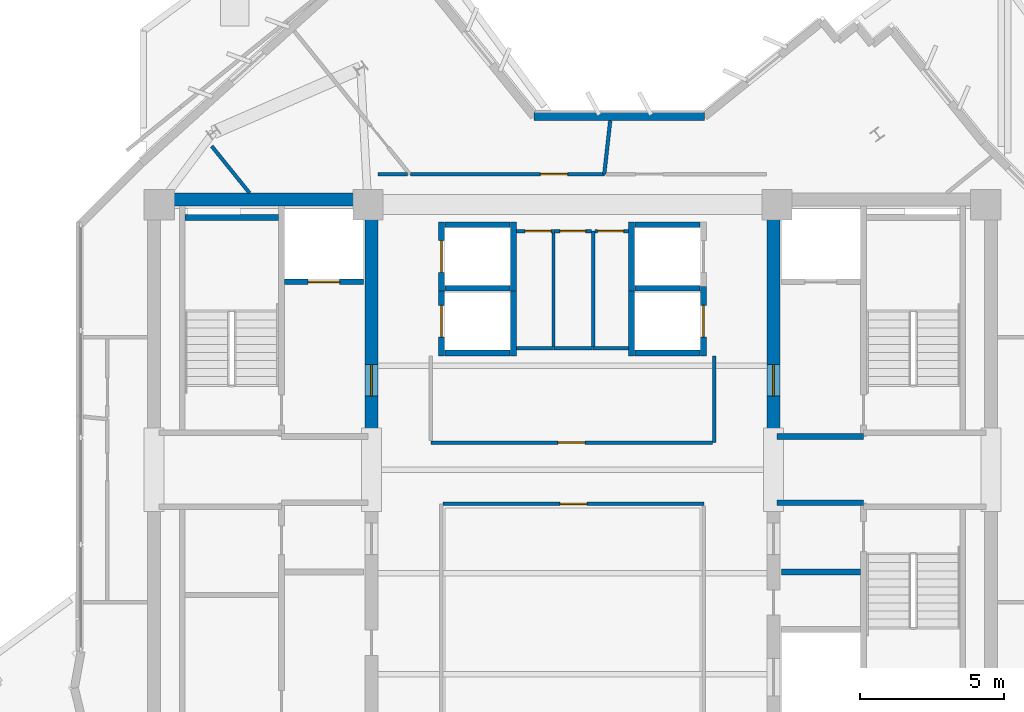
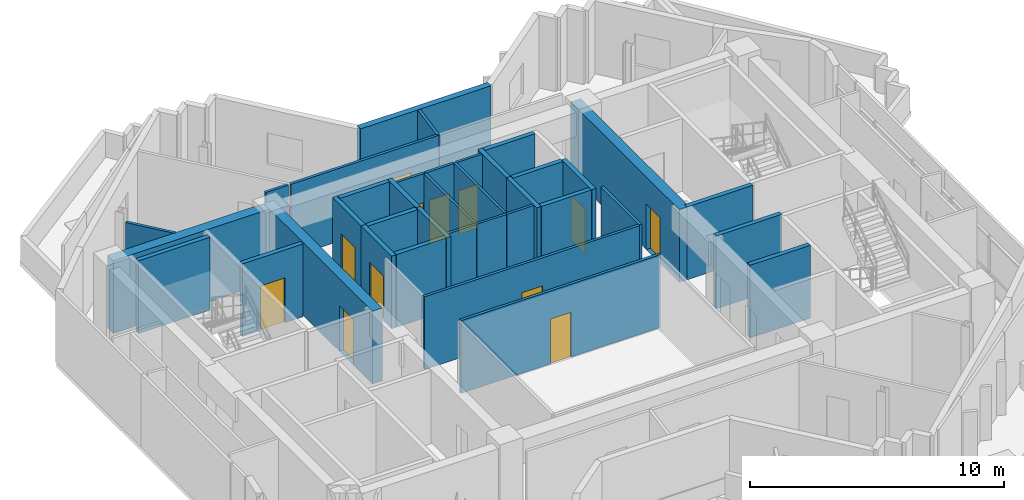
# One storey, part 8 of 12: 37 walls, 12 doors, 12 openings.
"""IFC4 building model written with IfcOpenShell, lengths in metres."""

from ifc_helpers import new_model, si_unit, direction, frame, frame_2d, origin, place, context, subcontext, project, spatial, rectangle, extrude, source, transform, mapped, material, layer, layer_set, type_object, element, fill, save


model = new_model("IFC4")

# Units and contexts
model_context = context("Model", 3, precision=1e-05, world=origin(), true_north=direction((0.0, 1.0)))
body_context = subcontext(model_context, "Body", "Model", "MODEL_VIEW")
ifc_project = project(units=[si_unit("LENGTHUNIT", "METRE"), si_unit("AREAUNIT", "SQUARE_METRE"), si_unit("VOLUMEUNIT", "CUBIC_METRE"), si_unit("PLANEANGLEUNIT", "RADIAN"), si_unit("MASSUNIT", "GRAM", prefix="KILO")], contexts=[model_context])

# Site, building, storey
site_placement = place(None, origin())
site = spatial("IfcSite", under=ifc_project, at=site_placement, CompositionType="ELEMENT")
building_placement = place(site_placement, origin())
building = spatial("IfcBuilding", under=site, at=building_placement, Name="Zahravan Cultural Tower", CompositionType="ELEMENT")
storey_placement = place(building_placement, frame((0.0, 0.0, 280.35009765625)))
storey = spatial("IfcBuildingStorey", under=building, at=storey_placement, Name="L67", CompositionType="ELEMENT", Elevation=280.35009765625)

# Wall, opening, door
ifc_material_1 = material(Name="Concrete C50/60", Category="concrete")
ifc_layer_1 = layer(ifc_material_1, 0.449951171875)
ifc_layer_set_1 = layer_set([ifc_layer_1], Name="Concrete C50/60")
wall_type_1 = type_object("IfcWallType", Name="CW-SHEAR-450-C50", PredefinedType="SHEAR", material=ifc_layer_set_1)
wall_1_placement = place(storey_placement, frame((29.02490234375, 28.050048828125, 0.0), z_axis=(0.0, 0.0, 1.0), x_axis=(0.0, 1.0, 0.0)))
wall_1 = element("IfcWall", 1, at=wall_1_placement, inside=storey, type_object=wall_type_1, Name="L67 Core Shear Wall CW-W-EN-L67", PredefinedType="SHEAR", context=body_context, shape_type="SweptSolid", body=[
    extrude(rectangle(XDim=8.550048828125, YDim=0.449951171875, at=frame_2d((4.27490234375, 0.0))), origin(), (0.0, 0.0, 1.0), 3.5),
])
opening_1_placement = place(wall_1_placement, frame((1.5, 0.0, 0.0)))
opening_1 = element("IfcOpeningElement", 2, at=opening_1_placement, cuts=wall_1, Name="Opening D-L67-06", PredefinedType="OPENING", context=body_context, shape_type="SweptSolid", body=[
    extrude(rectangle(XDim=1.10009765625, YDim=2.199951171875, at=frame_2d((0.550048828125, 1.10009765625))), frame((0.0, 0.23486328125, 0.0), z_axis=(0.0, -1.0, 0.0), x_axis=(1.0, 0.0, 0.0)), (0.0, 0.0, 1.0), 0.469970703125),
])
ifc_material_2 = material(Name="Steel ASTM A572 Grade 50", Category="steel")
door_type_1 = type_object("IfcDoorType", Name="DR-LOBBY-1100", OperationType="NOTDEFINED", PredefinedType="DOOR", material=ifc_material_2)
shared_shape_1 = source(origin(), body_context, "Body", "SweptSolid", [
    extrude(rectangle(XDim=1.10009765625, YDim=2.199951171875, at=frame_2d((0.550048828125, 1.10009765625))), frame((0.0, 0.02490234375, 0.0), z_axis=(0.0, -1.0, 0.0), x_axis=(1.0, 0.0, 0.0)), (0.0, 0.0, 1.0), 0.050048828125),
])
door_1_placement = place(opening_1_placement, origin())
door_1 = element("IfcDoor", 3, at=door_1_placement, inside=storey, type_object=door_type_1, Name="L67 Door D-L67-06", OperationType="SINGLE_SWING_LEFT", OverallHeight=2.199951171875, OverallWidth=1.10009765625, PredefinedType="DOOR", context=body_context, shape_type="MappedRepresentation", body=[
    mapped(shared_shape_1, transform((0.0, 0.0, 0.0), x_axis=(1.0, 0.0, 0.0), y_axis=(0.0, 1.0, 0.0), z_axis=(0.0, 0.0, 1.0), scale=1.0)),
])
fill(opening_1, door_1)

wall_2_placement = place(storey_placement, frame((42.97509765625, 28.050048828125, 0.0), z_axis=(0.0, 0.0, 1.0), x_axis=(0.0, 1.0, 0.0)))
wall_2 = element("IfcWall", 4, at=wall_2_placement, inside=storey, type_object=wall_type_1, Name="L67 Core Shear Wall CW-E-WN-L67", PredefinedType="SHEAR", context=body_context, shape_type="SweptSolid", body=[
    extrude(rectangle(XDim=8.550048828125, YDim=0.449951171875, at=frame_2d((4.27490234375, 0.0))), origin(), (0.0, 0.0, 1.0), 3.5),
])
opening_2_placement = place(wall_2_placement, frame((1.5, 0.0, 0.0)))
opening_2 = element("IfcOpeningElement", 5, at=opening_2_placement, cuts=wall_2, Name="Opening D-L67-07", PredefinedType="OPENING", context=body_context, shape_type="SweptSolid", body=[
    extrude(rectangle(XDim=1.10009765625, YDim=2.199951171875, at=frame_2d((0.550048828125, 1.10009765625))), frame((0.0, 0.23486328125, 0.0), z_axis=(0.0, -1.0, 0.0), x_axis=(1.0, 0.0, 0.0)), (0.0, 0.0, 1.0), 0.469970703125),
])
door_2_placement = place(opening_2_placement, origin())
door_2 = element("IfcDoor", 6, at=door_2_placement, inside=storey, type_object=door_type_1, Name="L67 Door D-L67-07", OperationType="SINGLE_SWING_RIGHT", OverallHeight=2.199951171875, OverallWidth=1.10009765625, PredefinedType="DOOR", context=body_context, shape_type="MappedRepresentation", body=[
    mapped(shared_shape_1, transform((0.0, 0.0, 0.0), x_axis=(1.0, 0.0, 0.0), y_axis=(0.0, 1.0, 0.0), z_axis=(0.0, 0.0, 1.0), scale=1.0)),
])
fill(opening_2, door_2)

ifc_material_3 = material(Name="Gypsum plasterboard partition")
ifc_layer_2 = layer(ifc_material_3, 0.125)
ifc_layer_set_2 = layer_set([ifc_layer_2], Name="Gypsum plasterboard partition")
wall_type_2 = type_object("IfcWallType", Name="W-PART-125", PredefinedType="PARTITIONING", material=ifc_layer_set_2)
wall_3_placement = place(storey_placement, frame((40.8525390625, 27.93994140625, 0.0), z_axis=(0.0, 0.0, 1.0), x_axis=(-1.0, 0.0, 0.0)))
wall_3 = element("IfcWall", 7, at=wall_3_placement, inside=storey, type_object=wall_type_2, Name="L67 Interior Wall 078", PredefinedType="PARTITIONING", context=body_context, shape_type="SweptSolid", body=[
    extrude(rectangle(XDim=9.7724609375, YDim=0.125, at=frame_2d((4.88623046875, 0.0))), origin(), (0.0, 0.0, 1.0), 3.5),
])
opening_3_placement = place(wall_3_placement, frame((4.411376953125, 0.0, 0.0)))
opening_3 = element("IfcOpeningElement", 8, at=opening_3_placement, cuts=wall_3, Name="Opening D-L67-16", PredefinedType="OPENING", context=body_context, shape_type="SweptSolid", body=[
    extrude(rectangle(XDim=0.949951171875, YDim=2.14990234375, at=frame_2d((0.47509765625, 1.074951171875))), frame((0.0, 0.072509765625, 0.0), z_axis=(0.0, -1.0, 0.0), x_axis=(1.0, 0.0, 0.0)), (0.0, 0.0, 1.0), 0.14501953125),
])
ifc_material_4 = material(Name="Anodised bronze-aluminium mullion", Category="aluminium")
door_type_2 = type_object("IfcDoorType", Name="DR-ROOM-950", OperationType="NOTDEFINED", PredefinedType="DOOR", material=ifc_material_4)
shared_shape_2 = source(origin(), body_context, "Body", "SweptSolid", [
    extrude(rectangle(XDim=0.949951171875, YDim=2.14990234375, at=frame_2d((0.47509765625, 1.074951171875))), frame((0.0, 0.02490234375, 0.0), z_axis=(0.0, -1.0, 0.0), x_axis=(1.0, 0.0, 0.0)), (0.0, 0.0, 1.0), 0.050048828125),
])
door_3_placement = place(opening_3_placement, origin())
door_3 = element("IfcDoor", 9, at=door_3_placement, inside=storey, type_object=door_type_2, Name="L67 Door D-L67-16", OperationType="SINGLE_SWING_LEFT", OverallHeight=2.14990234375, OverallWidth=0.949951171875, PredefinedType="DOOR", context=body_context, shape_type="MappedRepresentation", body=[
    mapped(shared_shape_2, transform((0.0, 0.0, 0.0), x_axis=(1.0, 0.0, 0.0), y_axis=(0.0, 1.0, 0.0), z_axis=(0.0, 0.0, 1.0), scale=1.0)),
])
fill(opening_3, door_3)

wall_4_placement = place(storey_placement, frame((37.103759765625, 37.260009765625, 0.0), z_axis=(0.0, 0.0, 1.0), x_axis=(-1.0, 0.0, 0.0)))
wall_4 = element("IfcWall", 10, at=wall_4_placement, inside=storey, type_object=wall_type_2, Name="L67 Interior Wall 080", PredefinedType="PARTITIONING", context=body_context, shape_type="SweptSolid", body=[
    extrude(rectangle(XDim=6.72705078125, YDim=0.125, at=frame_2d((3.363525390625, 0.0))), origin(), (0.0, 0.0, 1.0), 3.5),
])
opening_4_placement = place(wall_4_placement, frame((1.27099609375, 0.0, 0.0)))
opening_4 = element("IfcOpeningElement", 11, at=opening_4_placement, cuts=wall_4, Name="Opening D-L67-19", PredefinedType="OPENING", context=body_context, shape_type="SweptSolid", body=[
    extrude(rectangle(XDim=0.949951171875, YDim=2.14990234375, at=frame_2d((0.47509765625, 1.074951171875))), frame((0.0, 0.072509765625, 0.0), z_axis=(0.0, -1.0, 0.0), x_axis=(1.0, 0.0, 0.0)), (0.0, 0.0, 1.0), 0.14501953125),
])
door_4_placement = place(opening_4_placement, origin())
door_4 = element("IfcDoor", 12, at=door_4_placement, inside=storey, type_object=door_type_2, Name="L67 Door D-L67-19", OperationType="SINGLE_SWING_RIGHT", OverallHeight=2.14990234375, OverallWidth=0.949951171875, PredefinedType="DOOR", context=body_context, shape_type="MappedRepresentation", body=[
    mapped(shared_shape_2, transform((0.0, 0.0, 0.0), x_axis=(1.0, 0.0, 0.0), y_axis=(0.0, 1.0, 0.0), z_axis=(0.0, 0.0, 1.0), scale=1.0)),
])
fill(opening_4, door_4)

wall_5_placement = place(storey_placement, frame((31.507568359375, 25.81005859375, 0.0), z_axis=(0.0, 0.0, 1.0), x_axis=(1.0, 0.0, 0.0)))
wall_5 = element("IfcWall", 13, at=wall_5_placement, inside=storey, type_object=wall_type_2, Name="L67 Interior Wall 090", PredefinedType="PARTITIONING", context=body_context, shape_type="SweptSolid", body=[
    extrude(rectangle(XDim=9.052490234375, YDim=0.125, at=frame_2d((4.5263671875, 0.0))), origin(), (0.0, 0.0, 1.0), 3.5),
])
opening_5_placement = place(wall_5_placement, frame((4.05126953125, 0.0, 0.0)))
opening_5 = element("IfcOpeningElement", 14, at=opening_5_placement, cuts=wall_5, Name="Opening D-L67-12", PredefinedType="OPENING", context=body_context, shape_type="SweptSolid", body=[
    extrude(rectangle(XDim=0.949951171875, YDim=2.14990234375, at=frame_2d((0.47509765625, 1.074951171875))), frame((0.0, 0.072509765625, 0.0), z_axis=(0.0, -1.0, 0.0), x_axis=(1.0, 0.0, 0.0)), (0.0, 0.0, 1.0), 0.14501953125),
])
door_5_placement = place(opening_5_placement, origin())
door_5 = element("IfcDoor", 15, at=door_5_placement, inside=storey, type_object=door_type_2, Name="L67 Door D-L67-12", OperationType="SINGLE_SWING_LEFT", OverallHeight=2.14990234375, OverallWidth=0.949951171875, PredefinedType="DOOR", context=body_context, shape_type="MappedRepresentation", body=[
    mapped(shared_shape_2, transform((0.0, 0.0, 0.0), x_axis=(1.0, 0.0, 0.0), y_axis=(0.0, 1.0, 0.0), z_axis=(0.0, 0.0, 1.0), scale=1.0)),
])
fill(opening_5, door_5)

ifc_material_5 = material(Name="Concrete C45/55", Category="concrete")
ifc_layer_3 = layer(ifc_material_5, 0.199951171875)
ifc_layer_set_3 = layer_set([ifc_layer_3], Name="Concrete C45/55")
wall_type_3 = type_object("IfcWallType", Name="W-SHAFT-200", PredefinedType="SOLIDWALL", material=ifc_layer_set_3)
wall_6_placement = place(storey_placement, frame((26.0, 33.52001953125, 0.0), z_axis=(0.0, 0.0, 1.0), x_axis=(1.0, 0.0, 0.0)))
wall_6 = element("IfcWall", 16, at=wall_6_placement, inside=storey, type_object=wall_type_3, Name="L67 Interior Wall 022", PredefinedType="SOLIDWALL", context=body_context, shape_type="SweptSolid", body=[
    extrude(rectangle(XDim=2.75, YDim=0.199951171875, at=frame_2d((1.375, 0.0))), origin(), (0.0, 0.0, 1.0), 3.5),
])
opening_6_placement = place(wall_6_placement, frame((0.820068359375, 0.0, 0.0)))
opening_6 = element("IfcOpeningElement", 17, at=opening_6_placement, cuts=wall_6, Name="Opening LD-L67-01", PredefinedType="OPENING", context=body_context, shape_type="SweptSolid", body=[
    extrude(rectangle(XDim=1.10009765625, YDim=2.14990234375, at=frame_2d((0.550048828125, 1.074951171875))), frame((0.0, 0.10986328125, 0.0), z_axis=(0.0, -1.0, 0.0), x_axis=(1.0, 0.0, 0.0)), (0.0, 0.0, 1.0), 0.219970703125),
])
door_type_3 = type_object("IfcDoorType", Name="DR-LIFT-1100", OperationType="DOUBLE_DOOR_SLIDING", PredefinedType="DOOR", material=ifc_material_2)
shared_shape_3 = source(origin(), body_context, "Body", "SweptSolid", [
    extrude(rectangle(XDim=1.10009765625, YDim=2.14990234375, at=frame_2d((0.550048828125, 1.074951171875))), frame((0.0, 0.02490234375, 0.0), z_axis=(0.0, -1.0, 0.0), x_axis=(1.0, 0.0, 0.0)), (0.0, 0.0, 1.0), 0.050048828125),
])
door_6_placement = place(opening_6_placement, origin())
door_6 = element("IfcDoor", 18, at=door_6_placement, inside=storey, type_object=door_type_3, Name="L67 Door LD-L67-01", OperationType="DOUBLE_DOOR_SLIDING", OverallHeight=2.14990234375, OverallWidth=1.10009765625, PredefinedType="DOOR", context=body_context, shape_type="MappedRepresentation", body=[
    mapped(shared_shape_3, transform((0.0, 0.0, 0.0), x_axis=(1.0, 0.0, 0.0), y_axis=(0.0, 1.0, 0.0), z_axis=(0.0, 0.0, 1.0), scale=1.0)),
])
fill(opening_6, door_6)

wall_7_placement = place(storey_placement, frame((31.449951171875, 33.199951171875, 0.0), z_axis=(0.0, 0.0, 1.0), x_axis=(0.0, 1.0, 0.0)))
wall_7 = element("IfcWall", 19, at=wall_7_placement, inside=storey, type_object=wall_type_3, Name="L67 Interior Wall 027", PredefinedType="SOLIDWALL", context=body_context, shape_type="SweptSolid", body=[
    extrude(rectangle(XDim=2.400146484375, YDim=0.199951171875, at=frame_2d((1.2001953125, 0.0))), origin(), (0.0, 0.0, 1.0), 3.5),
])
opening_7_placement = place(wall_7_placement, frame((0.64990234375, 0.0, 0.0)))
opening_7 = element("IfcOpeningElement", 20, at=opening_7_placement, cuts=wall_7, Name="Opening LD-L67-04", PredefinedType="OPENING", context=body_context, shape_type="SweptSolid", body=[
    extrude(rectangle(XDim=1.10009765625, YDim=2.14990234375, at=frame_2d((0.550048828125, 1.074951171875))), frame((0.0, 0.10986328125, 0.0), z_axis=(0.0, -1.0, 0.0), x_axis=(1.0, 0.0, 0.0)), (0.0, 0.0, 1.0), 0.219970703125),
])
door_7_placement = place(opening_7_placement, origin())
door_7 = element("IfcDoor", 21, at=door_7_placement, inside=storey, type_object=door_type_3, Name="L67 Door LD-L67-04", OperationType="DOUBLE_DOOR_SLIDING", OverallHeight=2.14990234375, OverallWidth=1.10009765625, PredefinedType="DOOR", context=body_context, shape_type="MappedRepresentation", body=[
    mapped(shared_shape_3, transform((0.0, 0.0, 0.0), x_axis=(1.0, 0.0, 0.0), y_axis=(0.0, 1.0, 0.0), z_axis=(0.0, 0.0, 1.0), scale=1.0)),
])
fill(opening_7, door_7)

wall_8_placement = place(storey_placement, frame((31.449951171875, 30.949951171875, 0.0), z_axis=(0.0, 0.0, 1.0), x_axis=(0.0, 1.0, 0.0)))
wall_8 = element("IfcWall", 22, at=wall_8_placement, inside=storey, type_object=wall_type_3, Name="L67 Interior Wall 031", PredefinedType="SOLIDWALL", context=body_context, shape_type="SweptSolid", body=[
    extrude(rectangle(XDim=2.400146484375, YDim=0.199951171875, at=frame_2d((1.2001953125, 0.0))), origin(), (0.0, 0.0, 1.0), 3.5),
])
opening_8_placement = place(wall_8_placement, frame((0.64990234375, 0.0, 0.0)))
opening_8 = element("IfcOpeningElement", 23, at=opening_8_placement, cuts=wall_8, Name="Opening LD-L67-05", PredefinedType="OPENING", context=body_context, shape_type="SweptSolid", body=[
    extrude(rectangle(XDim=1.10009765625, YDim=2.14990234375, at=frame_2d((0.550048828125, 1.074951171875))), frame((0.0, 0.10986328125, 0.0), z_axis=(0.0, -1.0, 0.0), x_axis=(1.0, 0.0, 0.0)), (0.0, 0.0, 1.0), 0.219970703125),
])
door_8_placement = place(opening_8_placement, origin())
door_8 = element("IfcDoor", 24, at=door_8_placement, inside=storey, type_object=door_type_3, Name="L67 Door LD-L67-05", OperationType="DOUBLE_DOOR_SLIDING", OverallHeight=2.14990234375, OverallWidth=1.10009765625, PredefinedType="DOOR", context=body_context, shape_type="MappedRepresentation", body=[
    mapped(shared_shape_3, transform((0.0, 0.0, 0.0), x_axis=(1.0, 0.0, 0.0), y_axis=(0.0, 1.0, 0.0), z_axis=(0.0, 0.0, 1.0), scale=1.0)),
])
fill(opening_8, door_8)

wall_9_placement = place(storey_placement, frame((40.550048828125, 30.949951171875, 0.0), z_axis=(0.0, 0.0, 1.0), x_axis=(0.0, 1.0, 0.0)))
wall_9 = element("IfcWall", 25, at=wall_9_placement, inside=storey, type_object=wall_type_3, Name="L67 Interior Wall 039", PredefinedType="SOLIDWALL", context=body_context, shape_type="SweptSolid", body=[
    extrude(rectangle(XDim=2.400146484375, YDim=0.199951171875, at=frame_2d((1.2001953125, 0.0))), origin(), (0.0, 0.0, 1.0), 3.5),
])
opening_9_placement = place(wall_9_placement, frame((0.64990234375, 0.0, 0.0)))
opening_9 = element("IfcOpeningElement", 26, at=opening_9_placement, cuts=wall_9, Name="Opening LD-L67-07", PredefinedType="OPENING", context=body_context, shape_type="SweptSolid", body=[
    extrude(rectangle(XDim=1.10009765625, YDim=2.14990234375, at=frame_2d((0.550048828125, 1.074951171875))), frame((0.0, 0.10986328125, 0.0), z_axis=(0.0, -1.0, 0.0), x_axis=(1.0, 0.0, 0.0)), (0.0, 0.0, 1.0), 0.219970703125),
])
door_9_placement = place(opening_9_placement, origin())
door_9 = element("IfcDoor", 27, at=door_9_placement, inside=storey, type_object=door_type_3, Name="L67 Door LD-L67-07", OperationType="DOUBLE_DOOR_SLIDING", OverallHeight=2.14990234375, OverallWidth=1.10009765625, PredefinedType="DOOR", context=body_context, shape_type="MappedRepresentation", body=[
    mapped(shared_shape_3, transform((0.0, 0.0, 0.0), x_axis=(1.0, 0.0, 0.0), y_axis=(0.0, 1.0, 0.0), z_axis=(0.0, 0.0, 1.0), scale=1.0)),
])
fill(opening_9, door_9)

ifc_layer_4 = layer(ifc_material_3, 0.114990234375)
ifc_layer_set_4 = layer_set([ifc_layer_4], Name="Gypsum plasterboard partition")
wall_type_4 = type_object("IfcWallType", Name="W-WC-115", PredefinedType="PARTITIONING", material=ifc_layer_set_4)
wall_10_placement = place(storey_placement, frame((36.782470703125, 35.280029296875, 0.0), z_axis=(0.0, 0.0, 1.0), x_axis=(1.0, 0.0, 0.0)))
wall_10 = element("IfcWall", 28, at=wall_10_placement, inside=storey, type_object=wall_type_4, Name="L67 Interior Wall 043", PredefinedType="PARTITIONING", context=body_context, shape_type="SweptSolid", body=[
    extrude(rectangle(XDim=1.16259765625, YDim=0.114990234375, at=frame_2d((0.581298828125, 0.0))), origin(), (0.0, 0.0, 1.0), 3.5),
])
opening_10_placement = place(wall_10_placement, frame((0.0888671875, 0.0, 0.0)))
opening_10 = element("IfcOpeningElement", 29, at=opening_10_placement, cuts=wall_10, Name="Opening D-L67-15", PredefinedType="OPENING", context=body_context, shape_type="SweptSolid", body=[
    extrude(rectangle(XDim=0.89990234375, YDim=2.10009765625, at=frame_2d((0.449951171875, 1.050048828125))), frame((0.0, 0.0673828125, 0.0), z_axis=(0.0, -1.0, 0.0), x_axis=(1.0, 0.0, 0.0)), (0.0, 0.0, 1.0), 0.135009765625),
])
door_type_4 = type_object("IfcDoorType", Name="DR-WC-900", OperationType="NOTDEFINED", PredefinedType="DOOR", material=ifc_material_4)
shared_shape_4 = source(origin(), body_context, "Body", "SweptSolid", [
    extrude(rectangle(XDim=0.89990234375, YDim=2.10009765625, at=frame_2d((0.449951171875, 1.050048828125))), frame((0.0, 0.02490234375, 0.0), z_axis=(0.0, -1.0, 0.0), x_axis=(1.0, 0.0, 0.0)), (0.0, 0.0, 1.0), 0.050048828125),
])
door_10_placement = place(opening_10_placement, origin())
door_10 = element("IfcDoor", 30, at=door_10_placement, inside=storey, type_object=door_type_4, Name="L67 Door D-L67-15", OperationType="SINGLE_SWING_RIGHT", OverallHeight=2.10009765625, OverallWidth=0.89990234375, PredefinedType="DOOR", context=body_context, shape_type="MappedRepresentation", body=[
    mapped(shared_shape_4, transform((0.0, 0.0, 0.0), x_axis=(1.0, 0.0, 0.0), y_axis=(0.0, 1.0, 0.0), z_axis=(0.0, 0.0, 1.0), scale=1.0)),
])
fill(opening_10, door_10)

wall_11_placement = place(storey_placement, frame((34.054931640625, 35.280029296875, 0.0), z_axis=(0.0, 0.0, 1.0), x_axis=(1.0, 0.0, 0.0)))
wall_11 = element("IfcWall", 31, at=wall_11_placement, inside=storey, type_object=wall_type_4, Name="L67 Interior Wall 045", PredefinedType="PARTITIONING", context=body_context, shape_type="SweptSolid", body=[
    extrude(rectangle(XDim=1.28515625, YDim=0.114990234375, at=frame_2d((0.642578125, 0.0))), origin(), (0.0, 0.0, 1.0), 3.5),
])
opening_11_placement = place(wall_11_placement, frame((0.30029296875, 0.0, 0.0)))
opening_11 = element("IfcOpeningElement", 32, at=opening_11_placement, cuts=wall_11, Name="Opening D-L67-13", PredefinedType="OPENING", context=body_context, shape_type="SweptSolid", body=[
    extrude(rectangle(XDim=0.89990234375, YDim=2.10009765625, at=frame_2d((0.449951171875, 1.050048828125))), frame((0.0, 0.0673828125, 0.0), z_axis=(0.0, -1.0, 0.0), x_axis=(1.0, 0.0, 0.0)), (0.0, 0.0, 1.0), 0.135009765625),
])
door_11_placement = place(opening_11_placement, origin())
door_11 = element("IfcDoor", 33, at=door_11_placement, inside=storey, type_object=door_type_4, Name="L67 Door D-L67-13", OperationType="SINGLE_SWING_RIGHT", OverallHeight=2.10009765625, OverallWidth=0.89990234375, PredefinedType="DOOR", context=body_context, shape_type="MappedRepresentation", body=[
    mapped(shared_shape_4, transform((0.0, 0.0, 0.0), x_axis=(1.0, 0.0, 0.0), y_axis=(0.0, 1.0, 0.0), z_axis=(0.0, 0.0, 1.0), scale=1.0)),
])
fill(opening_11, door_11)

wall_12_placement = place(storey_placement, frame((35.360107421875, 35.280029296875, 0.0), z_axis=(0.0, 0.0, 1.0), x_axis=(1.0, 0.0, 0.0)))
wall_12 = element("IfcWall", 34, at=wall_12_placement, inside=storey, type_object=wall_type_4, Name="L67 Interior Wall 048", PredefinedType="PARTITIONING", context=body_context, shape_type="SweptSolid", body=[
    extrude(rectangle(XDim=1.29736328125, YDim=0.114990234375, at=frame_2d((0.648681640625, 0.0))), origin(), (0.0, 0.0, 1.0), 3.5),
])
opening_12_placement = place(wall_12_placement, frame((0.19873046875, 0.0, 0.0)))
opening_12 = element("IfcOpeningElement", 35, at=opening_12_placement, cuts=wall_12, Name="Opening D-L67-14", PredefinedType="OPENING", context=body_context, shape_type="SweptSolid", body=[
    extrude(rectangle(XDim=0.89990234375, YDim=2.10009765625, at=frame_2d((0.449951171875, 1.050048828125))), frame((0.0, 0.0673828125, 0.0), z_axis=(0.0, -1.0, 0.0), x_axis=(1.0, 0.0, 0.0)), (0.0, 0.0, 1.0), 0.135009765625),
])
door_12_placement = place(opening_12_placement, origin())
door_12 = element("IfcDoor", 36, at=door_12_placement, inside=storey, type_object=door_type_4, Name="L67 Door D-L67-14", OperationType="SINGLE_SWING_LEFT", OverallHeight=2.10009765625, OverallWidth=0.89990234375, PredefinedType="DOOR", context=body_context, shape_type="MappedRepresentation", body=[
    mapped(shared_shape_4, transform((0.0, 0.0, 0.0), x_axis=(1.0, 0.0, 0.0), y_axis=(0.0, 1.0, 0.0), z_axis=(0.0, 0.0, 1.0), scale=1.0)),
])
fill(opening_12, door_12)

# Walls
shared_shape_5 = source(origin(), body_context, "Body", "SweptSolid", [
    extrude(rectangle(XDim=7.10009765625, YDim=0.449951171875, at=frame_2d((3.550048828125, 0.0))), origin(), (0.0, 0.0, 1.0), 3.5),
])
wall_13_placement = place(storey_placement, frame((21.699951171875, 36.375, 0.0), z_axis=(0.0, 0.0, 1.0), x_axis=(1.0, 0.0, 0.0)))
element("IfcWall", 37, at=wall_13_placement, inside=storey, type_object=wall_type_1, Name="L67 Core Shear Wall CW-W-N-L67", PredefinedType="SHEAR", context=body_context, shape_type="MappedRepresentation", body=[
    mapped(shared_shape_5, transform((0.0, 0.0, 0.0), x_axis=(1.0, 0.0, 0.0), y_axis=(0.0, 1.0, 0.0), z_axis=(0.0, 0.0, 1.0), scale=1.0)),
])
ifc_material_6 = material(Name="Precast concrete C40/50", Category="concrete")
ifc_layer_5 = layer(ifc_material_6, 0.280029296875)
ifc_layer_set_5 = layer_set([ifc_layer_5], Name="Precast concrete C40/50")
wall_type_5 = type_object("IfcWallType", Name="EW-TC-280", PredefinedType="SOLIDWALL", material=ifc_layer_set_5)
shared_shape_6 = source(origin(), body_context, "Body", "SweptSolid", [
    extrude(rectangle(XDim=5.921630859375, YDim=0.280029296875, at=frame_2d((2.9609375, 0.0))), origin(), (0.0, 0.0, 1.0), 3.5),
])
wall_14_placement = place(storey_placement, frame((34.661376953125, 39.260009765625, 0.0), z_axis=(0.0, 0.0, 1.0), x_axis=(1.0, 0.0, 0.0)))
element("IfcWall", 38, at=wall_14_placement, inside=storey, type_object=wall_type_5, Name="L67 Exterior Masonry Frame Wall 08", PredefinedType="SOLIDWALL", context=body_context, shape_type="MappedRepresentation", body=[
    mapped(shared_shape_6, transform((0.0, 0.0, 0.0), x_axis=(1.0, 0.0, 0.0), y_axis=(0.0, 1.0, 0.0), z_axis=(0.0, 0.0, 1.0), scale=1.0)),
])
shared_shape_7 = source(origin(), body_context, "Body", "SweptSolid", [
    extrude(rectangle(XDim=3.0, YDim=0.199951171875, at=frame_2d((1.5, 0.0))), origin(), (0.0, 0.0, 1.0), 3.5),
])
for number, where, z_axis, x_axis, name in (
    (39, (43.10009765625, 25.85009765625, 0.0), (0.0, 0.0, 1.0), (1.0, 0.0, 0.0), "L67 Interior Wall 013"),
    (40, (43.10009765625, 28.14990234375, 0.0), (0.0, 0.0, 1.0), (1.0, 0.0, 0.0), "L67 Interior Wall 015"),
):
    element("IfcWall", number, at=place(storey_placement, frame(where, z_axis=z_axis, x_axis=x_axis)), inside=storey, type_object=wall_type_3, Name=name, PredefinedType="SOLIDWALL", context=body_context, shape_type="MappedRepresentation", body=[
        mapped(shared_shape_7, transform((0.0, 0.0, 0.0), x_axis=(1.0, 0.0, 0.0), y_axis=(0.0, 1.0, 0.0), z_axis=(0.0, 0.0, 1.0), scale=1.0)),
    ])
shared_shape_8 = source(origin(), body_context, "Body", "SweptSolid", [
    extrude(rectangle(XDim=3.25, YDim=0.199951171875, at=frame_2d((1.625, 0.0))), origin(), (0.0, 0.0, 1.0), 3.5),
])
wall_15_placement = place(storey_placement, frame((22.550048828125, 35.75, 0.0), z_axis=(0.0, 0.0, 1.0), x_axis=(1.0, 0.0, 0.0)))
element("IfcWall", 41, at=wall_15_placement, inside=storey, type_object=wall_type_3, Name="L67 Interior Wall 017", PredefinedType="SOLIDWALL", context=body_context, shape_type="MappedRepresentation", body=[
    mapped(shared_shape_8, transform((0.0, 0.0, 0.0), x_axis=(1.0, 0.0, 0.0), y_axis=(0.0, 1.0, 0.0), z_axis=(0.0, 0.0, 1.0), scale=1.0)),
])
shared_shape_9 = source(origin(), body_context, "Body", "SweptSolid", [
    extrude(rectangle(XDim=2.75, YDim=0.199951171875, at=frame_2d((1.375, 0.0))), origin(), (0.0, 0.0, 1.0), 3.5),
])
wall_16_placement = place(storey_placement, frame((43.25, 23.449951171875, 0.0), z_axis=(0.0, 0.0, 1.0), x_axis=(1.0, 0.0, 0.0)))
element("IfcWall", 42, at=wall_16_placement, inside=storey, type_object=wall_type_3, Name="L67 Interior Wall 025", PredefinedType="SOLIDWALL", context=body_context, shape_type="MappedRepresentation", body=[
    mapped(shared_shape_9, transform((0.0, 0.0, 0.0), x_axis=(1.0, 0.0, 0.0), y_axis=(0.0, 1.0, 0.0), z_axis=(0.0, 0.0, 1.0), scale=1.0)),
])
shared_shape_10 = source(origin(), body_context, "Body", "SweptSolid", [
    extrude(rectangle(XDim=2.400146484375, YDim=0.199951171875, at=frame_2d((1.2001953125, 0.0))), origin(), (0.0, 0.0, 1.0), 3.5),
])
for number, where, z_axis, x_axis, name in (
    (43, (33.949951171875, 33.199951171875, 0.0), (0.0, 0.0, 1.0), (0.0, 1.0, 0.0), "L67 Interior Wall 028"),
    (44, (33.949951171875, 30.949951171875, 0.0), (0.0, 0.0, 1.0), (0.0, 1.0, 0.0), "L67 Interior Wall 032"),
    (45, (38.050048828125, 33.199951171875, 0.0), (0.0, 0.0, 1.0), (0.0, 1.0, 0.0), "L67 Interior Wall 034"),
    (46, (38.050048828125, 30.949951171875, 0.0), (0.0, 0.0, 1.0), (0.0, 1.0, 0.0), "L67 Interior Wall 038"),
):
    element("IfcWall", number, at=place(storey_placement, frame(where, z_axis=z_axis, x_axis=x_axis)), inside=storey, type_object=wall_type_3, Name=name, PredefinedType="SOLIDWALL", context=body_context, shape_type="MappedRepresentation", body=[
        mapped(shared_shape_10, transform((0.0, 0.0, 0.0), x_axis=(1.0, 0.0, 0.0), y_axis=(0.0, 1.0, 0.0), z_axis=(0.0, 0.0, 1.0), scale=1.0)),
    ])
shared_shape_11 = source(origin(), body_context, "Body", "SweptSolid", [
    extrude(rectangle(XDim=2.260009765625, YDim=0.199951171875, at=frame_2d((1.1298828125, 0.0))), origin(), (0.0, 0.0, 1.0), 3.5),
])
for number, where, z_axis, x_axis, name in (
    (47, (31.570068359375, 33.300048828125, 0.0), (0.0, 0.0, 1.0), (1.0, 0.0, 0.0), "L67 Interior Wall 029"),
    (48, (31.570068359375, 35.5, 0.0), (0.0, 0.0, 1.0), (1.0, 0.0, 0.0), "L67 Interior Wall 030"),
    (49, (31.570068359375, 31.050048828125, 0.0), (0.0, 0.0, 1.0), (1.0, 0.0, 0.0), "L67 Interior Wall 033"),
    (50, (38.169921875, 33.300048828125, 0.0), (0.0, 0.0, 1.0), (1.0, 0.0, 0.0), "L67 Interior Wall 036"),
    (51, (38.169921875, 35.5, 0.0), (0.0, 0.0, 1.0), (1.0, 0.0, 0.0), "L67 Interior Wall 037"),
    (52, (38.169921875, 31.050048828125, 0.0), (0.0, 0.0, 1.0), (1.0, 0.0, 0.0), "L67 Interior Wall 040"),
):
    element("IfcWall", number, at=place(storey_placement, frame(where, z_axis=z_axis, x_axis=x_axis)), inside=storey, type_object=wall_type_3, Name=name, PredefinedType="SOLIDWALL", context=body_context, shape_type="MappedRepresentation", body=[
        mapped(shared_shape_11, transform((0.0, 0.0, 0.0), x_axis=(1.0, 0.0, 0.0), y_axis=(0.0, 1.0, 0.0), z_axis=(0.0, 0.0, 1.0), scale=1.0)),
    ])
shared_shape_12 = source(origin(), body_context, "Body", "SweptSolid", [
    extrude(rectangle(XDim=3.010009765625, YDim=0.125, at=frame_2d((1.5048828125, 0.0))), origin(), (0.0, 0.0, 1.0), 3.5),
])
wall_17_placement = place(storey_placement, frame((40.919921875, 30.949951171875, 0.0), z_axis=(0.0, 0.0, 1.0), x_axis=(0.0, -1.0, 0.0)))
element("IfcWall", 53, at=wall_17_placement, inside=storey, type_object=wall_type_2, Name="L67 Interior Wall 077", PredefinedType="PARTITIONING", context=body_context, shape_type="MappedRepresentation", body=[
    mapped(shared_shape_12, transform((0.0, 0.0, 0.0), x_axis=(1.0, 0.0, 0.0), y_axis=(0.0, 1.0, 0.0), z_axis=(0.0, 0.0, 1.0), scale=1.0)),
])
shared_shape_13 = source(origin(), body_context, "Body", "SweptSolid", [
    extrude(rectangle(XDim=1.22509765625, YDim=0.114990234375, at=frame_2d((0.612548828125, 0.0))), origin(), (0.0, 0.0, 1.0), 3.5),
])
wall_18_placement = place(storey_placement, frame((37.945068359375, 31.219970703125, 0.0), z_axis=(0.0, 0.0, 1.0), x_axis=(-1.0, 0.0, 0.0)))
element("IfcWall", 54, at=wall_18_placement, inside=storey, type_object=wall_type_4, Name="L67 Interior Wall 041", PredefinedType="PARTITIONING", context=body_context, shape_type="MappedRepresentation", body=[
    mapped(shared_shape_13, transform((0.0, 0.0, 0.0), x_axis=(1.0, 0.0, 0.0), y_axis=(0.0, 1.0, 0.0), z_axis=(0.0, 0.0, 1.0), scale=1.0)),
])
shared_shape_14 = source(origin(), body_context, "Body", "SweptSolid", [
    extrude(rectangle(XDim=3.99755859375, YDim=0.114990234375, at=frame_2d((1.998779296875, 0.0))), origin(), (0.0, 0.0, 1.0), 3.5),
])
wall_19_placement = place(storey_placement, frame((36.719970703125, 31.282470703125, 0.0), z_axis=(0.0, 0.0, 1.0), x_axis=(0.0, 1.0, 0.0)))
element("IfcWall", 55, at=wall_19_placement, inside=storey, type_object=wall_type_4, Name="L67 Interior Wall 042", PredefinedType="PARTITIONING", context=body_context, shape_type="MappedRepresentation", body=[
    mapped(shared_shape_14, transform((0.0, 0.0, 0.0), x_axis=(1.0, 0.0, 0.0), y_axis=(0.0, 1.0, 0.0), z_axis=(0.0, 0.0, 1.0), scale=1.0)),
])
shared_shape_15 = source(origin(), body_context, "Body", "SweptSolid", [
    extrude(rectangle(XDim=1.28515625, YDim=0.114990234375, at=frame_2d((0.642578125, 0.0))), origin(), (0.0, 0.0, 1.0), 3.5),
])
wall_20_placement = place(storey_placement, frame((35.340087890625, 31.219970703125, 0.0), z_axis=(0.0, 0.0, 1.0), x_axis=(-1.0, 0.0, 0.0)))
element("IfcWall", 56, at=wall_20_placement, inside=storey, type_object=wall_type_4, Name="L67 Interior Wall 044", PredefinedType="PARTITIONING", context=body_context, shape_type="MappedRepresentation", body=[
    mapped(shared_shape_15, transform((0.0, 0.0, 0.0), x_axis=(1.0, 0.0, 0.0), y_axis=(0.0, 1.0, 0.0), z_axis=(0.0, 0.0, 1.0), scale=1.0)),
])
shared_shape_16 = source(origin(), body_context, "Body", "SweptSolid", [
    extrude(rectangle(XDim=3.93505859375, YDim=0.114990234375, at=frame_2d((1.967529296875, 0.0))), origin(), (0.0, 0.0, 1.0), 3.5),
])
wall_21_placement = place(storey_placement, frame((35.340087890625, 35.217529296875, 0.0), z_axis=(0.0, 0.0, 1.0), x_axis=(0.0, -1.0, 0.0)))
element("IfcWall", 57, at=wall_21_placement, inside=storey, type_object=wall_type_4, Name="L67 Interior Wall 046", PredefinedType="PARTITIONING", context=body_context, shape_type="MappedRepresentation", body=[
    mapped(shared_shape_16, transform((0.0, 0.0, 0.0), x_axis=(1.0, 0.0, 0.0), y_axis=(0.0, 1.0, 0.0), z_axis=(0.0, 0.0, 1.0), scale=1.0)),
])
shared_shape_17 = source(origin(), body_context, "Body", "SweptSolid", [
    extrude(rectangle(XDim=1.33984375, YDim=0.114990234375, at=frame_2d((0.669921875, 0.0))), origin(), (0.0, 0.0, 1.0), 3.5),
])
wall_22_placement = place(storey_placement, frame((36.699951171875, 31.219970703125, 0.0), z_axis=(0.0, 0.0, 1.0), x_axis=(-1.0, 0.0, 0.0)))
element("IfcWall", 58, at=wall_22_placement, inside=storey, type_object=wall_type_4, Name="L67 Interior Wall 047", PredefinedType="PARTITIONING", context=body_context, shape_type="MappedRepresentation", body=[
    mapped(shared_shape_17, transform((0.0, 0.0, 0.0), x_axis=(1.0, 0.0, 0.0), y_axis=(0.0, 1.0, 0.0), z_axis=(0.0, 0.0, 1.0), scale=1.0)),
])
shared_shape_18 = source(origin(), body_context, "Body", "SweptSolid", [
    extrude(rectangle(XDim=2.08935546875, YDim=0.125, at=frame_2d((1.044677734375, 0.0))), origin(), (0.0, 0.0, 1.0), 3.5),
])
wall_23_placement = place(storey_placement, frame((23.475341796875, 38.230712890625, 0.0), z_axis=(0.0, 0.0, 1.0), x_axis=(0.628165745158, -0.778079556735, 0.0)))
element("IfcWall", 59, at=wall_23_placement, inside=storey, type_object=wall_type_2, Name="L67 Interior Wall 069", PredefinedType="PARTITIONING", context=body_context, shape_type="MappedRepresentation", body=[
    mapped(shared_shape_18, transform((0.0, 0.0, 0.0), x_axis=(1.0, 0.0, 0.0), y_axis=(0.0, 1.0, 0.0), z_axis=(0.0, 0.0, 1.0), scale=1.0)),
])
shared_shape_19 = source(origin(), body_context, "Body", "SweptSolid", [
    extrude(rectangle(XDim=1.010986328125, YDim=0.125, at=frame_2d((0.50537109375, 0.0))), origin(), (0.0, 0.0, 1.0), 3.5),
])
wall_24_placement = place(storey_placement, frame((30.264404296875, 37.260009765625, 0.0), z_axis=(0.0, 0.0, 1.0), x_axis=(-0.999999883368, -0.00048297507, 0.0)))
element("IfcWall", 60, at=wall_24_placement, inside=storey, type_object=wall_type_2, Name="L67 Interior Wall 072", PredefinedType="PARTITIONING", context=body_context, shape_type="MappedRepresentation", body=[
    mapped(shared_shape_19, transform((0.0, 0.0, 0.0), x_axis=(1.0, 0.0, 0.0), y_axis=(0.0, 1.0, 0.0), z_axis=(0.0, 0.0, 1.0), scale=1.0)),
])
shared_shape_20 = source(origin(), body_context, "Body", "SweptSolid", [
    extrude(rectangle(XDim=1.866455078125, YDim=0.125, at=frame_2d((0.93310546875, 0.0))), origin(), (0.0, 0.0, 1.0), 3.5),
])
wall_25_placement = place(storey_placement, frame((37.310302734375, 39.114990234375, 0.0), z_axis=(0.0, 0.0, 1.0), x_axis=(-0.110661229882, -0.993858185156, 0.0)))
element("IfcWall", 61, at=wall_25_placement, inside=storey, type_object=wall_type_2, Name="L67 Interior Wall 082", PredefinedType="PARTITIONING", context=body_context, shape_type="MappedRepresentation", body=[
    mapped(shared_shape_20, transform((0.0, 0.0, 0.0), x_axis=(1.0, 0.0, 0.0), y_axis=(0.0, 1.0, 0.0), z_axis=(0.0, 0.0, 1.0), scale=1.0)),
])

save(model, "model.ifc")
